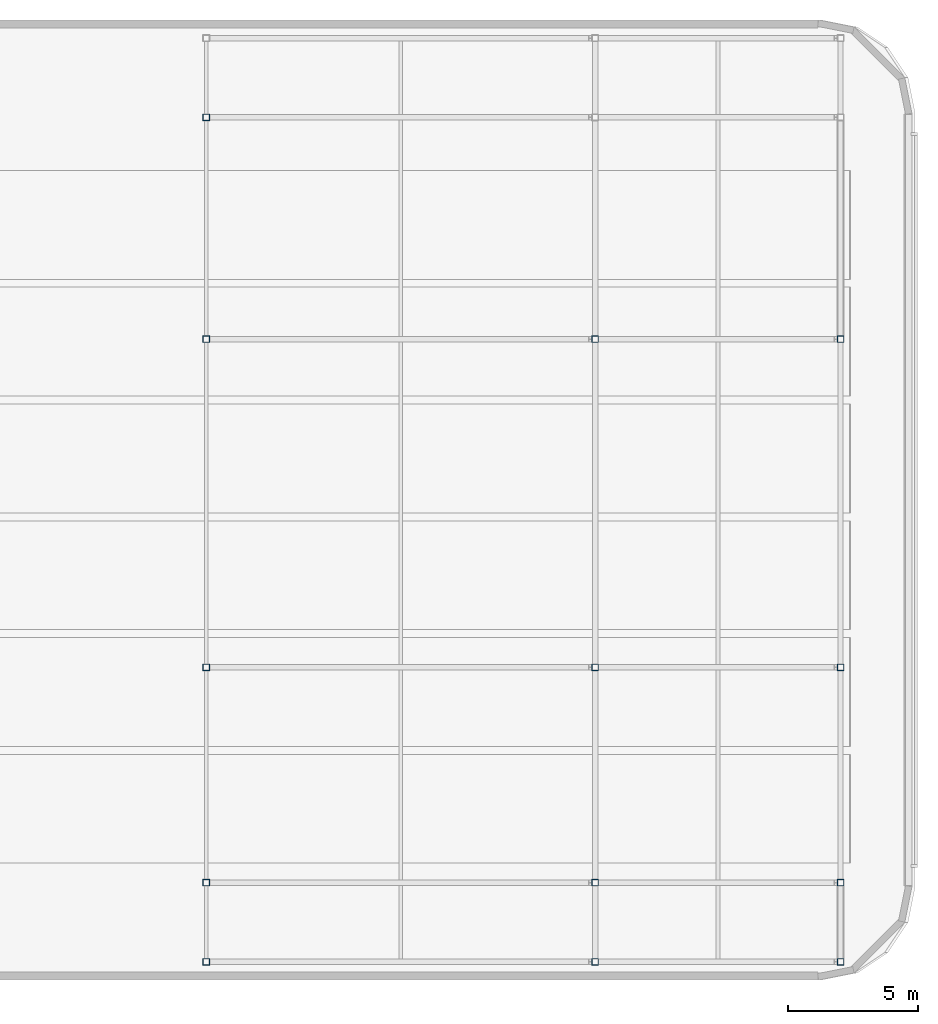
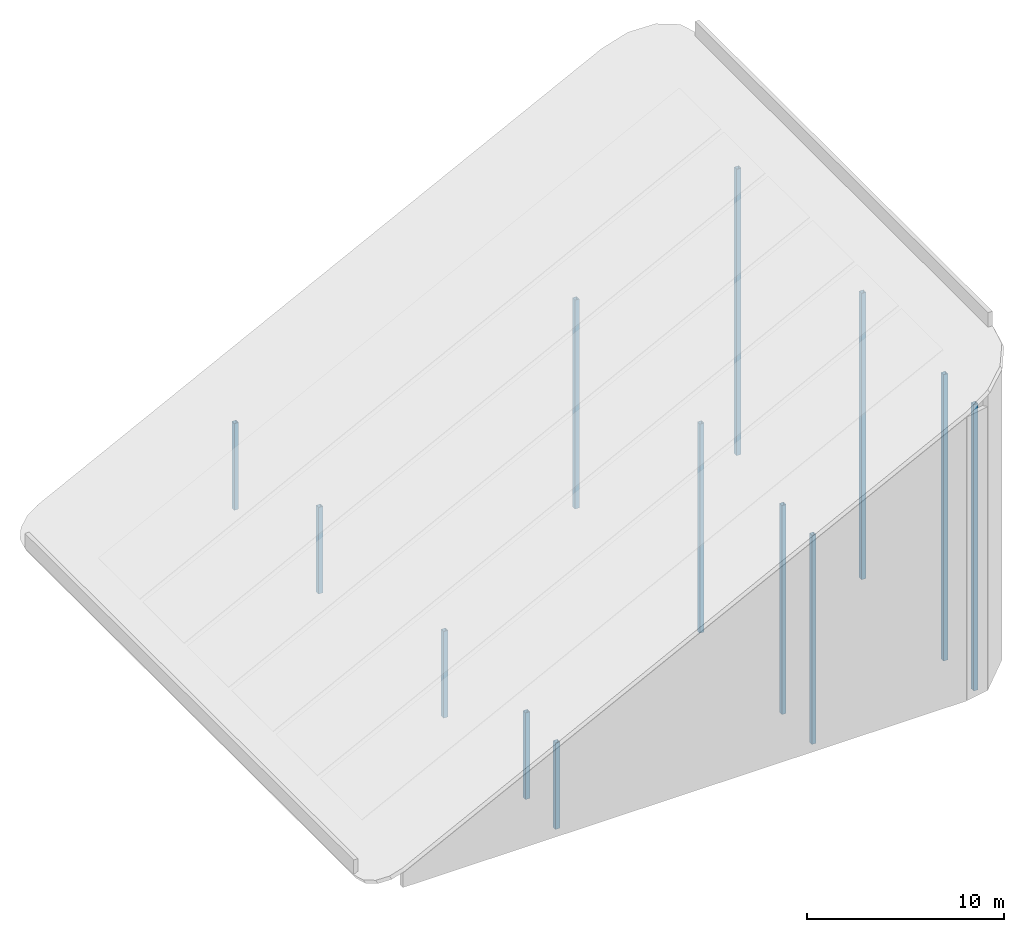
# One storey, part 1 of 4: 13 columns.
"""IFC4 building model written with IfcOpenShell, lengths in metres."""

import ifcopenshell
import ifcopenshell.guid

model = None  # the IFC model being written
_history = None  # IfcOwnerHistory: only IFC2X3 demands one
_inside = {}  # id of a spatial element -> (the spatial element, [elements in it])
_under = {}  # id of a project, library or spatial element -> (it, [spatial elements below it])
_declared = {}  # id of a project -> (the project, [libraries it declares])
_typed = {}  # id of a type object -> (the type object, [elements of that type])
_made_of = {}  # id of a material, layer set ... -> (it, [elements and type objects made of it])


def new_model(schema):
    """Start an empty IFC model of exactly this schema.

    Asked for "IFC4X3", IfcOpenShell would pick the latest addendum, in which some entities
    have other attributes; the version numbers below select the first issue.
    IFC2X3 requires an IfcOwnerHistory on every rooted entity: one is made here for all.
    """
    global model, _history
    if schema == "IFC4X3":
        model = ifcopenshell.file(schema_version=(4, 3, 0, 0))
    else:
        model = ifcopenshell.file(schema=schema)
    _inside.clear()
    _under.clear()
    _declared.clear()
    _typed.clear()
    _made_of.clear()
    _history = None
    if model.schema == "IFC2X3":
        org = make("IfcOrganization", Name="unknown")
        user = make(
            "IfcPersonAndOrganization",
            ThePerson=make("IfcPerson", FamilyName="unknown"),
            TheOrganization=org,
        )
        app = make(
            "IfcApplication",
            ApplicationDeveloper=org,
            Version="unknown",
            ApplicationFullName="unknown",
            ApplicationIdentifier="unknown",
        )
        _history = make(
            "IfcOwnerHistory",
            OwningUser=user,
            OwningApplication=app,
            ChangeAction="ADDED",
            CreationDate=0,
        )
    return model


def make(cls, **values):
    """One entity of the class cls with the attributes given. An attribute that is None is left unset."""
    return model.create_entity(
        cls, **{name: value for name, value in values.items() if value is not None}
    )


def rooted(cls, **values):
    """An entity with a GlobalId (a new one), such as an element, a storey or a relation."""
    return make(cls, GlobalId=ifcopenshell.guid.new(), OwnerHistory=_history, **values)


def si_unit(unit_type, name, prefix=None):
    """IfcSIUnit, for example si_unit("LENGTHUNIT", "METRE", prefix="MILLI")."""
    return make("IfcSIUnit", UnitType=unit_type, Prefix=prefix, Name=name)


def assignment(units):
    """IfcUnitAssignment: the units of a project."""
    return None if units is None else make("IfcUnitAssignment", Units=units)


def point(xyz):
    """IfcCartesianPoint."""
    return None if xyz is None else make("IfcCartesianPoint", Coordinates=xyz)


def direction(xyz):
    """IfcDirection."""
    return None if xyz is None else make("IfcDirection", DirectionRatios=xyz)


def frame(location, z_axis=None, x_axis=None):
    """IfcAxis2Placement3D, a coordinate frame: its origin and axes. An axis left out is left unset."""
    return make(
        "IfcAxis2Placement3D",
        Location=point(location),
        Axis=direction(z_axis),
        RefDirection=direction(x_axis),
    )


def frame_2d(location, x_axis=None):
    """IfcAxis2Placement2D, a coordinate frame in the plane: its origin and x axis."""
    return make(
        "IfcAxis2Placement2D", Location=point(location), RefDirection=direction(x_axis)
    )


def origin():
    """The frame at (0, 0, 0) with its axes left unset."""
    return frame((0.0, 0.0, 0.0))


def origin_2d():
    """The frame at (0, 0) in the plane with its x axis left unset."""
    return frame_2d((0.0, 0.0))


def place(relative_to, where):
    """IfcLocalPlacement: puts the frame where relative to a parent placement (None: the world)."""
    return make(
        "IfcLocalPlacement", PlacementRelTo=relative_to, RelativePlacement=where
    )


def context(
    kind, dimensions, precision=None, world=None, true_north=None, identifier=None
):
    """IfcGeometricRepresentationContext, for example the 3D "Model" context."""
    return make(
        "IfcGeometricRepresentationContext",
        ContextIdentifier=identifier,
        ContextType=kind,
        CoordinateSpaceDimension=dimensions,
        Precision=precision,
        WorldCoordinateSystem=world,
        TrueNorth=true_north,
    )


def subcontext(parent, identifier, kind, view, scale=None):
    """IfcGeometricRepresentationSubContext, for example "Body" below "Model"."""
    return make(
        "IfcGeometricRepresentationSubContext",
        ContextIdentifier=identifier,
        ContextType=kind,
        ParentContext=parent,
        TargetScale=scale,
        TargetView=view,
    )


def project(units=None, contexts=None):
    """IfcProject with its units and contexts."""
    return rooted(
        "IfcProject",
        Name="project",
        RepresentationContexts=contexts,
        UnitsInContext=assignment(units),
    )


def spatial(cls, under=None, at=None, **own):
    """A site, building, storey or space (cls), placed at a placement, below another one or the project."""
    s = rooted(cls, ObjectPlacement=at, **own)
    if under is not None:
        _under.setdefault(under.id(), (under, []))[1].append(s)
    return s


def profile(cls, at=None, kind="AREA", **sizes):
    """A parametric profile (cls). Its sizes go by their IFC names, for example OverallWidth=200.0."""
    return make(cls, ProfileType=kind, Position=at, **sizes)


def hollow_rectangle(**sizes):
    """IfcRectangleHollowProfileDef."""
    return profile("IfcRectangleHollowProfileDef", **sizes)


def extrude(swept, where, along, depth):
    """IfcExtrudedAreaSolid: the profile swept, set in the frame where, extruded along a direction by depth."""
    return make(
        "IfcExtrudedAreaSolid",
        SweptArea=swept,
        Position=where,
        ExtrudedDirection=direction(along),
        Depth=depth,
    )


def shape(context_of_items, identifier, shape_type, items):
    """IfcShapeRepresentation: the items that make up one representation, for example the "Body"."""
    return make(
        "IfcShapeRepresentation",
        ContextOfItems=context_of_items,
        RepresentationIdentifier=identifier,
        RepresentationType=shape_type,
        Items=items,
    )


def material(Name=None, Category=None):
    """IfcMaterial."""
    return make("IfcMaterial", Name=Name, Category=Category)


def material_profile(
    of_material, cross_section, Name=None, Category=None, Priority=None
):
    """IfcMaterialProfile: a cross section and its material."""
    return make(
        "IfcMaterialProfile",
        Name=Name,
        Material=of_material,
        Profile=cross_section,
        Priority=Priority,
        Category=Category,
    )


def profile_set(profiles, Name=None, composite=None):
    """IfcMaterialProfileSet."""
    return make(
        "IfcMaterialProfileSet",
        Name=Name,
        MaterialProfiles=profiles,
        CompositeProfile=composite,
    )


def made_of(thing, what):
    """Note that an element or type object is made of a material, layer set ...; save() writes the relation."""
    if what is not None:
        _made_of.setdefault(what.id(), (what, []))[1].append(thing)
    return thing


def type_object(cls, material=None, **own):
    """A type object (cls), such as IfcWallType, which elements share."""
    return made_of(rooted(cls, **own), material)


def element(
    cls,
    number,
    at=None,
    inside=None,
    cuts=None,
    type_object=None,
    material=None,
    context=None,
    identifier="Body",
    shape_type=None,
    held_by="IfcProductDefinitionShape",
    body=None,
    shapes=None,
    **own,
):
    """One element of the class cls, such as IfcWall. Its Tag is "e" and its number.

    at: its placement. inside: the storey or other place that contains it. cuts: it is an
    opening in that element (IfcRelVoidsElement). A single representation is given by context,
    identifier, shape_type and body (its items); several are given by shapes. held_by: the class
    of the entity that holds the representations. save() writes the other relations.
    """
    e = rooted(cls, Tag="e%d" % number, ObjectPlacement=at, **own)
    if body is not None:
        shapes = [shape(context, identifier, shape_type, body)]
    if shapes is not None:
        e.Representation = make(held_by, Representations=shapes)
    if inside is not None:
        _inside.setdefault(inside.id(), (inside, []))[1].append(e)
    if cuts is not None:
        rooted(
            "IfcRelVoidsElement", RelatingBuildingElement=cuts, RelatedOpeningElement=e
        )
    if type_object is not None:
        _typed.setdefault(type_object.id(), (type_object, []))[1].append(e)
    return made_of(e, material)


def aggregate(whole, parts):
    """IfcRelAggregates: a whole, such as a stair, and the parts it consists of."""
    return rooted("IfcRelAggregates", RelatingObject=whole, RelatedObjects=parts)


def save(model, path):
    """Write the relations noted so far, then the file.

    IfcRelAggregates (storeys below a building ...), IfcRelContainedInSpatialStructure (elements
    in a storey), IfcRelDefinesByType, IfcRelAssociatesMaterial and IfcRelDeclares: one each for
    every whole, place, type object, material and project.
    """
    for whole, parts in _under.values():
        aggregate(whole, parts)
    for where, things in _inside.values():
        rooted(
            "IfcRelContainedInSpatialStructure",
            RelatedElements=things,
            RelatingStructure=where,
        )
    for kind, things in _typed.values():
        rooted("IfcRelDefinesByType", RelatedObjects=things, RelatingType=kind)
    for what, things in _made_of.values():
        rooted("IfcRelAssociatesMaterial", RelatedObjects=things, RelatingMaterial=what)
    for by, libraries in _declared.values():
        rooted("IfcRelDeclares", RelatingContext=by, RelatedDefinitions=libraries)
    model.write(path)


model = new_model("IFC4")

# Units and contexts
model_context = context("Model", 3, precision=1e-05, world=origin(), true_north=direction((0.0, 1.0)))
body_context = subcontext(model_context, "Body", "Model", "MODEL_VIEW")
ifc_project = project(units=[si_unit("LENGTHUNIT", "METRE"), si_unit("AREAUNIT", "SQUARE_METRE"), si_unit("VOLUMEUNIT", "CUBIC_METRE"), si_unit("PLANEANGLEUNIT", "RADIAN"), si_unit("MASSUNIT", "GRAM", prefix="KILO")], contexts=[model_context])

# Site, building, storey
site_placement = place(None, origin())
site = spatial("IfcSite", under=ifc_project, at=site_placement, CompositionType="ELEMENT")
building_placement = place(site_placement, origin())
building = spatial("IfcBuilding", under=site, at=building_placement, Name="Ochreholt Gables", CompositionType="ELEMENT")
storey_placement = place(building_placement, frame((0.0, 0.0, 293.0)))
storey = spatial("IfcBuildingStorey", under=building, at=storey_placement, Name="Roof", CompositionType="ELEMENT", Elevation=293.0)

# Columns
ifc_material = material(Name="Steel CSA G40.21 350W", Category="steel")
ifc_material_profile_1 = material_profile(ifc_material, hollow_rectangle(XDim=0.25390625, YDim=0.25390625, WallThickness=0.0126953125, at=origin_2d()), Name="HSS254X254X13")
ifc_profile_set_1 = profile_set([ifc_material_profile_1], Name="Steel CSA G40.21 350W")
column_type_1 = type_object("IfcColumnType", Name="COL-HSS254-CRN", PredefinedType="COLUMN", material=ifc_profile_set_1)
for number, where, z_axis, x_axis, name in (
    (1, (35.199951171875, 9.25, 0.0), (0.0, 0.0, 1.0), (1.0, 0.0, 0.0), "Roof Crown Column C2Y2"),
    (2, (35.199951171875, 17.550048828125, 0.0), (0.0, 0.0, 1.0), (1.0, 0.0, 0.0), "Roof Crown Column C2Y3"),
    (3, (35.199951171875, 30.199951171875, 0.0), (0.0, 0.0, 1.0), (1.0, 0.0, 0.0), "Roof Crown Column C2Y4"),
    (4, (35.199951171875, 38.75, 0.0), (0.0, 0.0, 1.0), (1.0, 0.0, 0.0), "Roof Crown Column C2Y5"),
):
    element("IfcColumn", number, at=place(storey_placement, frame(where, z_axis=z_axis, x_axis=x_axis)), inside=storey, type_object=column_type_1, Name=name, PredefinedType="COLUMN", context=body_context, shape_type="SweptSolid", body=[
        extrude(hollow_rectangle(XDim=0.25390625, YDim=0.25390625, WallThickness=0.0126953125, at=origin_2d()), origin(), (0.0, 0.0, 1.0), 5.3544921875),
    ])
for number, where, z_axis, x_axis, name in (
    (5, (50.19091796875, 9.25, 0.00390625), (0.0, 0.0, 1.0), (1.0, 0.0, 0.0), "Roof Crown Column EMY2"),
    (6, (50.19091796875, 17.550048828125, 0.00390625), (0.0, 0.0, 1.0), (1.0, 0.0, 0.0), "Roof Crown Column EMY3"),
    (7, (50.19091796875, 30.199951171875, 0.00390625), (0.0, 0.0, 1.0), (1.0, 0.0, 0.0), "Roof Crown Column EMY4"),
):
    element("IfcColumn", number, at=place(storey_placement, frame(where, z_axis=z_axis, x_axis=x_axis)), inside=storey, type_object=column_type_1, Name=name, PredefinedType="COLUMN", context=body_context, shape_type="SweptSolid", body=[
        extrude(hollow_rectangle(XDim=0.25390625, YDim=0.25390625, WallThickness=0.0126953125, at=origin_2d()), origin(), (0.0, 0.0, 1.0), 12.92431640625),
    ])
ifc_material_profile_2 = material_profile(ifc_material, hollow_rectangle(XDim=0.25390625, YDim=0.25390625, WallThickness=0.0126953125, at=origin_2d()), Name="HSS254X254X13")
ifc_profile_set_2 = profile_set([ifc_material_profile_2], Name="Steel CSA G40.21 350W")
column_type_2 = type_object("IfcColumnType", Name="COL-HSS254-CRNE", PredefinedType="COLUMN", material=ifc_profile_set_2)
column_1_placement = place(storey_placement, frame((35.199951171875, 6.199951171875, 0.0), z_axis=(0.0, 0.0, 1.0), x_axis=(1.0, 0.0, 0.0)))
element("IfcColumn", 8, at=column_1_placement, inside=storey, type_object=column_type_2, Name="Roof Crown Column C2Y1", PredefinedType="COLUMN", context=body_context, shape_type="SweptSolid", body=[
    extrude(hollow_rectangle(XDim=0.25390625, YDim=0.25390625, WallThickness=0.0126953125, at=origin_2d()), origin(), (0.0, 0.0, 1.0), 5.3544921875),
])
column_2_placement = place(storey_placement, frame((50.19091796875, 6.199951171875, 0.00390625), z_axis=(0.0, 0.0, 1.0), x_axis=(1.0, 0.0, 0.0)))
element("IfcColumn", 9, at=column_2_placement, inside=storey, type_object=column_type_2, Name="Roof Crown Column EMY1", PredefinedType="COLUMN", context=body_context, shape_type="SweptSolid", body=[
    extrude(hollow_rectangle(XDim=0.25390625, YDim=0.25390625, WallThickness=0.0126953125, at=origin_2d()), origin(), (0.0, 0.0, 1.0), 12.92431640625),
])
for number, where, z_axis, x_axis, name in (
    (10, (59.65087890625, 6.199951171875, 0.00390625), (0.0, 0.0, 1.0), (1.0, 0.0, 0.0), "Roof Crown Column EEY1"),
    (11, (59.65087890625, 9.25, 0.00390625), (0.0, 0.0, 1.0), (1.0, 0.0, 0.0), "Roof Crown Column EEY2"),
    (12, (59.65087890625, 17.550048828125, 0.00390625), (0.0, 0.0, 1.0), (1.0, 0.0, 0.0), "Roof Crown Column EEY3"),
    (13, (59.65087890625, 30.199951171875, 0.00390625), (0.0, 0.0, 1.0), (1.0, 0.0, 0.0), "Roof Crown Column EEY4"),
):
    element("IfcColumn", number, at=place(storey_placement, frame(where, z_axis=z_axis, x_axis=x_axis)), inside=storey, type_object=column_type_2, Name=name, PredefinedType="COLUMN", context=body_context, shape_type="SweptSolid", body=[
        extrude(hollow_rectangle(XDim=0.25390625, YDim=0.25390625, WallThickness=0.0126953125, at=origin_2d()), origin(), (0.0, 0.0, 1.0), 17.70361328125),
    ])

save(model, "model.ifc")
